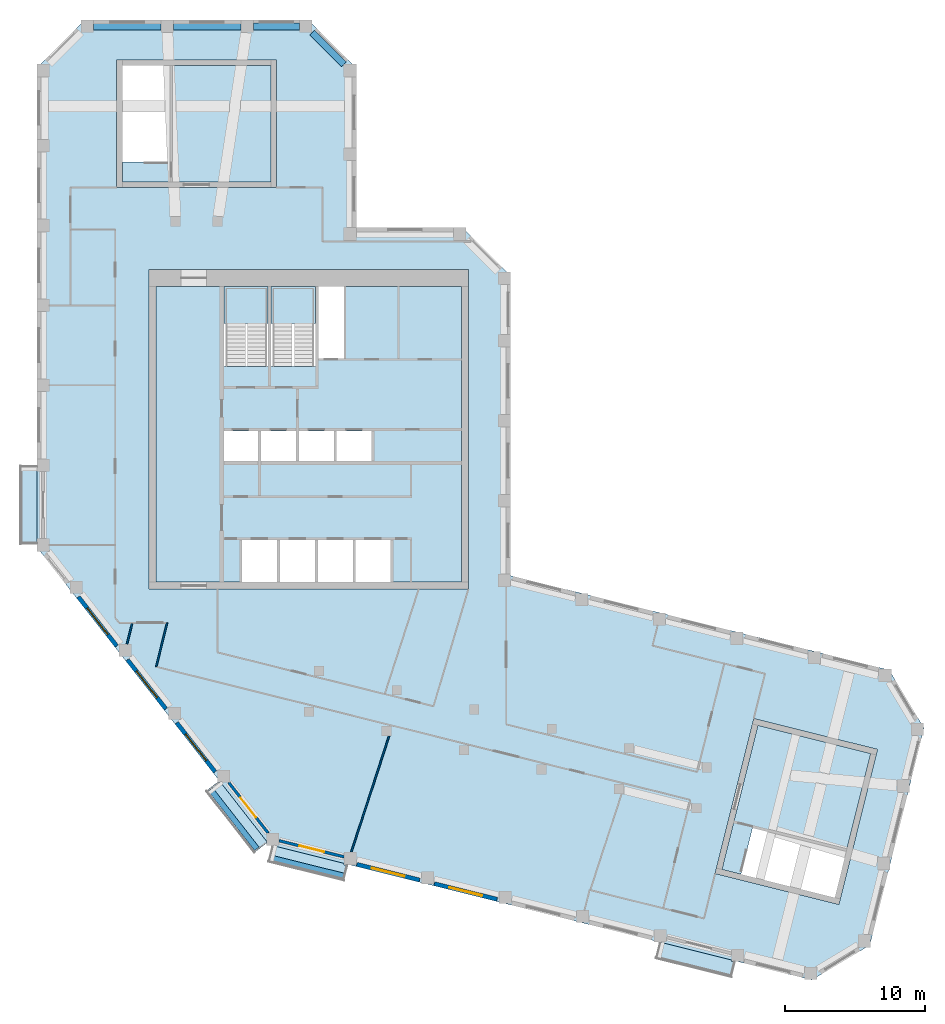
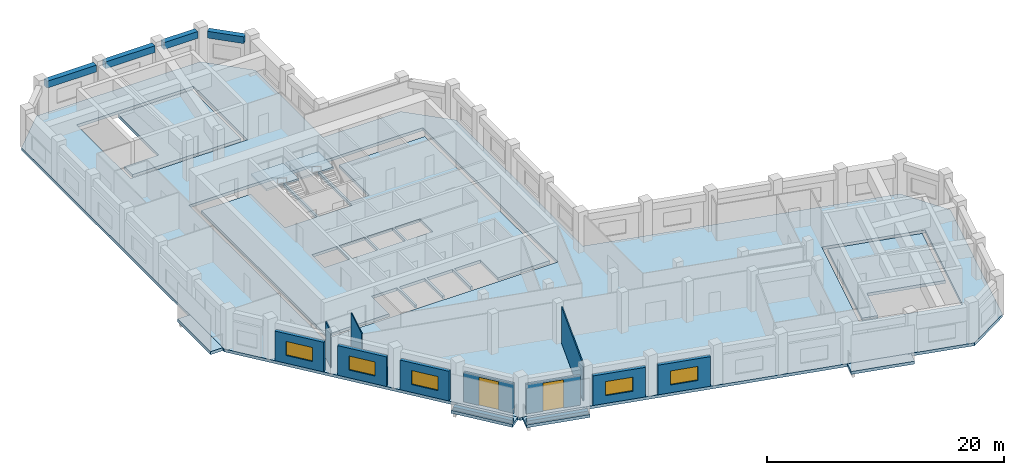
# One storey, part 2 of 8: 12 walls, 10 slabs, 5 windows, 4 beams, 2 doors, 7 openings, 2 elements without a shape of their own.
"""IFC4 building model written with IfcOpenShell, lengths in metres."""

from ifc_helpers import new_model, si_unit, direction, frame, frame_2d, origin, origin_2d, place, context, subcontext, project, spatial, polyline, rectangle, outline, extrude, material, layer, layer_set, material_profile, profile_set, type_object, element, fill, aggregate, save


model = new_model("IFC4")

# Units and contexts
model_context = context("Model", 3, precision=1e-05, world=origin(), true_north=direction((0.0, 1.0)))
body_context = subcontext(model_context, "Body", "Model", "MODEL_VIEW")
ifc_project = project(units=[si_unit("LENGTHUNIT", "METRE"), si_unit("AREAUNIT", "SQUARE_METRE"), si_unit("VOLUMEUNIT", "CUBIC_METRE"), si_unit("PLANEANGLEUNIT", "RADIAN"), si_unit("MASSUNIT", "GRAM", prefix="KILO")], contexts=[model_context])

# Site, building, storey
site_placement = place(None, origin())
site = spatial("IfcSite", under=ifc_project, at=site_placement, CompositionType="ELEMENT")
building_placement = place(site_placement, origin())
building = spatial("IfcBuilding", under=site, at=building_placement, Name="Meshkara Civic Tower", CompositionType="ELEMENT")
storey_placement = place(building_placement, frame((0.0, 0.0, 396.0)))
storey = spatial("IfcBuildingStorey", under=building, at=storey_placement, Name="L91", CompositionType="ELEMENT", Elevation=396.0)

# Beams
ifc_material_1 = material(Name="Concrete C50", Category="concrete")
ifc_material_profile = material_profile(ifc_material_1, rectangle(XDim=0.5, YDim=0.699951171875, at=origin_2d()))
ifc_profile_set = profile_set([ifc_material_profile], Name="Concrete C50")
beam_type = type_object("IfcBeamType", Name="Spandrel beam RC 500x700 C50", PredefinedType="BEAM", material=ifc_profile_set)
beam_1_placement = place(storey_placement, frame((21.903564453125, 51.560546875, 3.39990234375), z_axis=(-0.707144921739, 0.707068638576, 0.0), x_axis=(-0.707068638576, -0.707144921739, 0.0)))
element("IfcBeam", 1, at=beam_1_placement, inside=storey, type_object=beam_type, Name="Spandrel beam AEEP5-ATiEP5", PredefinedType="BEAM", context=body_context, shape_type="SweptSolid", body=[
    extrude(rectangle(XDim=0.5, YDim=0.699951171875, at=origin_2d()), origin(), (0.0, 0.0, 1.0), 3.200439453125),
])
beam_2_placement = place(storey_placement, frame((18.7490234375, 54.27001953125, 3.39990234375), z_axis=(-1.0, 0.0, 0.0), x_axis=(0.0, -1.0, 0.0)))
element("IfcBeam", 2, at=beam_2_placement, inside=storey, type_object=beam_type, Name="Spandrel beam AT02-P5-ATiEP5", PredefinedType="BEAM", context=body_context, shape_type="SweptSolid", body=[
    extrude(rectangle(XDim=0.5, YDim=0.699951171875, at=origin_2d()), origin(), (0.0, 0.0, 1.0), 3.298095703125),
])
for number, where, z_axis, x_axis, name in (
    (3, (14.56103515625, 54.27001953125, 3.39990234375), (-1.0, 0.0, 0.0), (0.0, -1.0, 0.0), "Spandrel beam AT01-P5-AT02-P5"),
    (4, (8.861083984375, 54.27001953125, 3.39990234375), (-1.0, 0.0, 0.0), (0.0, -1.0, 0.0), "Spandrel beam AT00-P5-AT01-P5"),
):
    element("IfcBeam", number, at=place(storey_placement, frame(where, z_axis=z_axis, x_axis=x_axis)), inside=storey, type_object=beam_type, Name=name, PredefinedType="BEAM", context=body_context, shape_type="SweptSolid", body=[
        extrude(rectangle(XDim=0.5, YDim=0.699951171875, at=origin_2d()), origin(), (0.0, 0.0, 1.0), 4.81005859375),
    ])

# Slabs
ifc_material_2 = material(Name="Concrete C40", Category="concrete")
ifc_layer_1 = layer(ifc_material_2, 0.300048828125)
ifc_layer_set_1 = layer_set([ifc_layer_1], Name="BALCONY SLAB")
slab_type_1 = type_object("IfcSlabType", Name="BALCONY SLAB", PredefinedType="FLOOR", material=ifc_layer_set_1)
slab_1_placement = place(storey_placement, frame((0.0, 0.0, -0.300048828125)))
element("IfcSlab", 5, at=slab_1_placement, inside=storey, type_object=slab_type_1, Name="Balcony slab", PredefinedType="FLOOR", context=body_context, shape_type="SweptSolid", body=[
    extrude(outline(polyline([(0.0, 17.705078125), (0.0, 17.31494140625), (-1.199951171875, 17.31494140625), (-1.199951171875, 22.89501953125), (0.0, 22.89501953125), (0.0, 22.5048828125), (0.0, 17.705078125)])), origin(), (0.0, 0.0, 1.0), 0.300048828125),
])
slab_2_placement = place(storey_placement, frame((0.0, 0.0, -0.300048828125)))
element("IfcSlab", 6, at=slab_2_placement, inside=storey, type_object=slab_type_1, Name="Balcony slab", PredefinedType="FLOOR", context=body_context, shape_type="SweptSolid", body=[
    extrude(outline(polyline([(15.513916015625, -4.7060546875), (12.0791015625, -0.30908203125), (12.89208984375, 0.325927734375), (12.89208984375, 0.303955078125), (13.1220703125, 0.303955078125), (16.40087890625, -3.89306640625), (16.40087890625, -4.012939453125), (15.513916015625, -4.7060546875)])), origin(), (0.0, 0.0, 1.0), 0.300048828125),
])
slab_3_placement = place(storey_placement, frame((0.0, 0.0, -0.300048828125)))
element("IfcSlab", 7, at=slab_3_placement, inside=storey, type_object=slab_type_1, Name="Balcony slab", PredefinedType="FLOOR", context=body_context, shape_type="SweptSolid", body=[
    extrude(outline(polyline([(21.925048828125, -6.702880859375), (16.510009765625, -5.35302734375), (16.800048828125, -4.18896484375), (21.931884765625, -5.468017578125), (21.931884765625, -5.56689453125), (22.2080078125, -5.56689453125), (21.925048828125, -6.702880859375)])), origin(), (0.0, 0.0, 1.0), 0.300048828125),
])
slab_4_placement = place(storey_placement, frame((0.0, 0.0, -0.300048828125)))
element("IfcSlab", 8, at=slab_4_placement, inside=storey, type_object=slab_type_1, Name="Balcony slab", PredefinedType="FLOOR", context=body_context, shape_type="SweptSolid", body=[
    extrude(outline(polyline([(49.577880859375, -13.597900390625), (44.1630859375, -12.248046875), (44.452880859375, -11.083984375), (49.5849609375, -12.363037109375), (49.5849609375, -12.4619140625), (49.861083984375, -12.4619140625), (49.577880859375, -13.597900390625)])), origin(), (0.0, 0.0, 1.0), 0.300048828125),
])
ifc_material_3 = material(Name="Concrete C40/50", Category="concrete")
ifc_layer_2 = layer(ifc_material_3, 0.300048828125)
ifc_layer_set_2 = layer_set([ifc_layer_2], Name="Core floor slab 300 C40/50")
slab_type_2 = type_object("IfcSlabType", Name="Core floor slab 300 C40/50", PredefinedType="FLOOR", material=ifc_layer_set_2)
slab_5_placement = place(storey_placement, frame((0.0, 0.0, -0.300048828125)))
element("IfcSlab", 9, at=slab_5_placement, inside=storey, type_object=slab_type_2, Name="Core floor K", PredefinedType="FLOOR", context=body_context, shape_type="SweptSolid", body=[
    extrude(outline(polyline([(8.5, 35.699951171875), (13.35009765625, 35.699951171875), (13.35009765625, 30.00146484375), (16.5, 30.00146484375), (16.5, 35.699951171875), (16.699951171875, 35.699951171875), (16.699951171875, 30.00146484375), (19.89990234375, 30.00146484375), (19.89990234375, 35.699951171875), (20.10009765625, 35.699951171875), (20.10009765625, 30.574951171875), (21.925048828125, 30.574951171875), (21.925048828125, 35.699951171875), (30.300048828125, 35.699951171875), (30.300048828125, 14.60009765625), (25.25, 14.60009765625), (25.25, 17.60009765625), (22.75, 17.60009765625), (22.75, 14.60009765625), (22.550048828125, 14.60009765625), (22.550048828125, 17.60009765625), (20.050048828125, 17.60009765625), (20.050048828125, 14.60009765625), (19.85009765625, 14.60009765625), (19.85009765625, 17.60009765625), (17.35009765625, 17.60009765625), (17.35009765625, 14.60009765625), (17.14990234375, 14.60009765625), (17.14990234375, 17.60009765625), (14.64990234375, 17.60009765625), (14.64990234375, 14.60009765625), (8.5, 14.60009765625), (8.5, 35.699951171875)]), holes=[polyline([(13.35009765625, 23.25), (15.800048828125, 23.25), (15.800048828125, 25.39990234375), (13.35009765625, 25.39990234375), (13.35009765625, 23.25)]), polyline([(18.5, 23.25), (18.5, 25.39990234375), (16.0, 25.39990234375), (16.0, 23.25), (18.5, 23.25)]), polyline([(18.699951171875, 23.25), (21.199951171875, 23.25), (21.199951171875, 25.39990234375), (18.699951171875, 25.39990234375), (18.699951171875, 23.25)]), polyline([(23.89990234375, 23.25), (23.89990234375, 25.39990234375), (21.39990234375, 25.39990234375), (21.39990234375, 23.25), (23.89990234375, 23.25)])]), origin(), (0.0, 0.0, 1.0), 0.300048828125),
])
slab_6_placement = place(storey_placement, frame((0.0, 0.0, -0.300048828125)))
element("IfcSlab", 10, at=slab_6_placement, inside=storey, type_object=slab_type_2, Name="Core floor EA", PredefinedType="FLOOR", context=body_context, shape_type="SweptSolid", body=[
    extrude(outline(polyline([(16.699951171875, 43.169921875), (16.699951171875, 51.469970703125), (9.5, 51.469970703125), (9.5, 44.571533203125), (6.10009765625, 44.571533203125), (6.10009765625, 43.169921875), (16.699951171875, 43.169921875)])), origin(), (0.0, 0.0, 1.0), 0.300048828125),
])
slab_7_placement = place(storey_placement, frame((0.0, 0.0, -0.300048828125)))
element("IfcSlab", 11, at=slab_7_placement, inside=storey, type_object=slab_type_2, Name="Core floor EB", PredefinedType="FLOOR", context=body_context, shape_type="SweptSolid", body=[
    extrude(outline(polyline([(51.45849609375, 4.381103515625), (59.511962890625, 2.373291015625), (57.77001953125, -4.61279296875), (51.076416015625, -2.944091796875), (50.25390625, -6.242919921875), (48.89404296875, -5.90380859375), (51.45849609375, 4.381103515625)])), origin(), (0.0, 0.0, 1.0), 0.300048828125),
])

# Stair, slab
ifc_material_4 = material(Name="Precast concrete C40/50", Category="concrete")
stair_type = type_object("IfcStairType", Name="Exit stair half-turn 24 risers precast", PredefinedType="HALF_TURN_STAIR", material=ifc_material_4)
stair_1_placement = place(storey_placement, origin())
stair_1 = element("IfcStair", 12, at=stair_1_placement, inside=storey, type_object=stair_type, Name="L91 exit stair 1", PredefinedType="HALF_TURN_STAIR")
ifc_material_5 = material(Name="Precast concrete C40/50", Category="concrete")
ifc_layer_3 = layer(ifc_material_5, 0.199951171875)
ifc_layer_set_3 = layer_set([ifc_layer_3], Name="Exit stair landing 200")
slab_type_3 = type_object("IfcSlabType", Name="Exit stair landing 200", PredefinedType="LANDING", material=ifc_layer_set_3)
slab_8_placement = place(storey_placement, frame((0.0, 0.0, 1.89990234375)))
slab_8 = element("IfcSlab", 13, at=slab_8_placement, type_object=slab_type_3, Name="ST1 landing 1", PredefinedType="LANDING", context=body_context, shape_type="SweptSolid", body=[
    extrude(outline(polyline([(16.5, 33.07861328125), (16.5, 35.699951171875), (13.35009765625, 35.699951171875), (13.35009765625, 33.07861328125), (16.5, 33.07861328125)])), origin(), (0.0, 0.0, 1.0), 0.2001953125),
])
aggregate(stair_1, [slab_8])

stair_2_placement = place(storey_placement, origin())
stair_2 = element("IfcStair", 14, at=stair_2_placement, inside=storey, type_object=stair_type, Name="L91 exit stair 2", PredefinedType="HALF_TURN_STAIR")
slab_9_placement = place(storey_placement, frame((0.0, 0.0, 1.89990234375)))
slab_9 = element("IfcSlab", 15, at=slab_9_placement, type_object=slab_type_3, Name="ST2 landing 1", PredefinedType="LANDING", context=body_context, shape_type="SweptSolid", body=[
    extrude(outline(polyline([(19.89990234375, 33.07861328125), (19.89990234375, 35.699951171875), (16.699951171875, 35.699951171875), (16.699951171875, 33.07861328125), (19.89990234375, 33.07861328125)])), origin(), (0.0, 0.0, 1.0), 0.2001953125),
])
aggregate(stair_2, [slab_9])

# Slab
ifc_material_6 = material(Name="Concrete C50", Category="concrete")
ifc_layer_4 = layer(ifc_material_6, 0.300048828125)
ifc_layer_set_4 = layer_set([ifc_layer_4], Name="Post-tensioned flat slab 300 C50")
slab_type_4 = type_object("IfcSlabType", Name="Post-tensioned flat slab 300 C50", PredefinedType="FLOOR", material=ifc_layer_set_4)
slab_10_placement = place(storey_placement, frame((0.0, 0.0, -0.300048828125)))
element("IfcSlab", 16, at=slab_10_placement, inside=storey, type_object=slab_type_4, Name="Post-tensioned flat slab L91", PredefinedType="FLOOR", context=body_context, shape_type="SweptSolid", body=[
    extrude(outline(polyline([(59.452880859375, -11.299072265625), (55.306884765625, -13.7900390625), (16.592041015625, -4.136962890625), (0.0, 17.10009765625), (0.0, 51.300048828125), (3.419921875, 54.719970703125), (19.3798828125, 54.719970703125), (22.800048828125, 51.300048828125), (22.800048828125, 39.89990234375), (30.3798828125, 39.89990234375), (33.800048828125, 36.47998046875), (33.800048828125, 15.071044921875), (60.822998046875, 8.3330078125), (63.31396484375, 4.18701171875), (59.452880859375, -11.299072265625)]), holes=[polyline([(57.239013671875, -8.39697265625), (59.9970703125, 2.6650390625), (51.1669921875, 4.865966796875), (48.408935546875, -6.195068359375), (57.239013671875, -8.39697265625)]), polyline([(8.0, 14.10009765625), (30.800048828125, 14.10009765625), (30.800048828125, 36.89990234375), (8.0, 36.89990234375), (8.0, 14.10009765625)]), polyline([(5.699951171875, 51.8701171875), (5.699951171875, 42.77001953125), (17.10009765625, 42.77001953125), (17.10009765625, 51.8701171875), (5.699951171875, 51.8701171875)])]), origin(), (0.0, 0.0, 1.0), 0.300048828125),
])

# Wall
ifc_material_7 = material(Name="Corridor wall 100")
ifc_layer_5 = layer(ifc_material_7, 0.10009765625)
ifc_layer_set_5 = layer_set([ifc_layer_5], Name="Corridor wall 100")
wall_type_1 = type_object("IfcWallType", Name="Corridor wall 100", PredefinedType="PARTITIONING", material=ifc_layer_set_5)
wall_1_placement = place(storey_placement, frame((9.301025390625, 11.699951171875, 0.0), z_axis=(0.0, 0.0, 1.0), x_axis=(-0.241592536742, -0.970377785293, 0.0)))
element("IfcWall", 17, at=wall_1_placement, inside=storey, type_object=wall_type_1, Name="L91-W008", PredefinedType="PARTITIONING", context=body_context, shape_type="SweptSolid", body=[
    extrude(rectangle(XDim=3.228759765625, YDim=0.10009765625, at=frame_2d((1.6142578125, 0.0))), origin(), (0.0, 0.0, 1.0), 3.75),
])

# Wall, opening, window
ifc_material_8 = material(Name="Insulated infill panel with bronze anodised aluminium cladding", Category="aluminium")
ifc_layer_6 = layer(ifc_material_8, 0.300048828125)
ifc_layer_set_6 = layer_set([ifc_layer_6], Name="EXTERNAL INFILL WALL 300")
wall_type_2 = type_object("IfcWallType", Name="EXTERNAL INFILL WALL 300", PredefinedType="SOLIDWALL", material=ifc_layer_set_6)
wall_2_placement = place(storey_placement, frame((2.967041015625, 13.547119140625, 0.0), z_axis=(0.0, 0.0, 1.0), x_axis=(0.615486001463, -0.788147817356, 0.0)))
wall_2 = element("IfcWall", 18, at=wall_2_placement, inside=storey, type_object=wall_type_2, Name="External wall", PredefinedType="SOLIDWALL", context=body_context, shape_type="SweptSolid", body=[
    extrude(rectangle(XDim=4.43701171875, YDim=0.300048828125, at=frame_2d((2.218505859375, 0.0))), origin(), (0.0, 0.0, 1.0), 3.050048828125),
])
opening_1_placement = place(wall_2_placement, frame((1.01806640625, 0.0, 0.800048828125)))
opening_1 = element("IfcOpeningElement", 19, at=opening_1_placement, cuts=wall_2, Name="Opening W8", PredefinedType="OPENING", context=body_context, shape_type="SweptSolid", body=[
    extrude(rectangle(XDim=2.39990234375, YDim=1.449951171875, at=frame_2d((1.199951171875, 0.72509765625))), frame((0.0, 0.159912109375, 0.0), z_axis=(0.0, -1.0, 0.0), x_axis=(1.0, 0.0, 0.0)), (0.0, 0.0, 1.0), 0.320068359375),
])
ifc_material_9 = material(Name="Tinted double glazing", Category="glass")
window_type = type_object("IfcWindowType", Name="WINDOW 2400x1450", PartitioningType="DOUBLE_PANEL_VERTICAL", PredefinedType="WINDOW", material=ifc_material_9)
window_1_placement = place(opening_1_placement, origin())
window_1 = element("IfcWindow", 20, at=window_1_placement, inside=storey, type_object=window_type, Name="Window", OverallHeight=1.449951171875, OverallWidth=2.39990234375, PartitioningType="DOUBLE_PANEL_VERTICAL", PredefinedType="WINDOW", context=body_context, shape_type="SweptSolid", body=[
    extrude(rectangle(XDim=2.39990234375, YDim=1.449951171875, at=frame_2d((1.199951171875, 0.72509765625))), frame((0.0, 0.030029296875, 0.0), z_axis=(0.0, -1.0, 0.0), x_axis=(1.0, 0.0, 0.0)), (0.0, 0.0, 1.0), 0.06005859375),
])
fill(opening_1, window_1)

wall_3_placement = place(storey_placement, frame((6.47607421875, 9.054931640625, 0.0), z_axis=(0.0, 0.0, 1.0), x_axis=(0.615649380255, -0.788020203162, 0.0)))
wall_3 = element("IfcWall", 21, at=wall_3_placement, inside=storey, type_object=wall_type_2, Name="External wall", PredefinedType="SOLIDWALL", context=body_context, shape_type="SweptSolid", body=[
    extrude(rectangle(XDim=4.4375, YDim=0.300048828125, at=frame_2d((2.21875, 0.0))), origin(), (0.0, 0.0, 1.0), 3.050048828125),
])
opening_2_placement = place(wall_3_placement, frame((1.01904296875, 0.0, 0.800048828125)))
opening_2 = element("IfcOpeningElement", 22, at=opening_2_placement, cuts=wall_3, Name="Opening W8", PredefinedType="OPENING", context=body_context, shape_type="SweptSolid", body=[
    extrude(rectangle(XDim=2.39990234375, YDim=1.449951171875, at=frame_2d((1.199951171875, 0.72509765625))), frame((0.0, 0.159912109375, 0.0), z_axis=(0.0, -1.0, 0.0), x_axis=(1.0, 0.0, 0.0)), (0.0, 0.0, 1.0), 0.320068359375),
])
window_2_placement = place(opening_2_placement, origin())
window_2 = element("IfcWindow", 23, at=window_2_placement, inside=storey, type_object=window_type, Name="Window", OverallHeight=1.449951171875, OverallWidth=2.39990234375, PartitioningType="DOUBLE_PANEL_VERTICAL", PredefinedType="WINDOW", context=body_context, shape_type="SweptSolid", body=[
    extrude(rectangle(XDim=2.39990234375, YDim=1.449951171875, at=frame_2d((1.199951171875, 0.72509765625))), frame((0.0, 0.030029296875, 0.0), z_axis=(0.0, -1.0, 0.0), x_axis=(1.0, 0.0, 0.0)), (0.0, 0.0, 1.0), 0.06005859375),
])
fill(opening_2, window_2)

wall_4_placement = place(storey_placement, frame((9.986083984375, 4.56298828125, 0.0), z_axis=(0.0, 0.0, 1.0), x_axis=(0.615592779411, -0.788064419915, 0.0)))
wall_4 = element("IfcWall", 24, at=wall_4_placement, inside=storey, type_object=wall_type_2, Name="External wall", PredefinedType="SOLIDWALL", context=body_context, shape_type="SweptSolid", body=[
    extrude(rectangle(XDim=4.436279296875, YDim=0.300048828125, at=frame_2d((2.21826171875, 0.0))), origin(), (0.0, 0.0, 1.0), 3.050048828125),
])
opening_3_placement = place(wall_4_placement, frame((1.01806640625, 0.0, 0.800048828125)))
opening_3 = element("IfcOpeningElement", 25, at=opening_3_placement, cuts=wall_4, Name="Opening W8", PredefinedType="OPENING", context=body_context, shape_type="SweptSolid", body=[
    extrude(rectangle(XDim=2.39990234375, YDim=1.449951171875, at=frame_2d((1.199951171875, 0.72509765625))), frame((0.0, 0.159912109375, 0.0), z_axis=(0.0, -1.0, 0.0), x_axis=(1.0, 0.0, 0.0)), (0.0, 0.0, 1.0), 0.320068359375),
])
window_3_placement = place(opening_3_placement, origin())
window_3 = element("IfcWindow", 26, at=window_3_placement, inside=storey, type_object=window_type, Name="Window", OverallHeight=1.449951171875, OverallWidth=2.39990234375, PartitioningType="DOUBLE_PANEL_VERTICAL", PredefinedType="WINDOW", context=body_context, shape_type="SweptSolid", body=[
    extrude(rectangle(XDim=2.39990234375, YDim=1.449951171875, at=frame_2d((1.199951171875, 0.72509765625))), frame((0.0, 0.030029296875, 0.0), z_axis=(0.0, -1.0, 0.0), x_axis=(1.0, 0.0, 0.0)), (0.0, 0.0, 1.0), 0.06005859375),
])
fill(opening_3, window_3)

wall_5_placement = place(storey_placement, frame((22.839111328125, -5.5400390625, 0.0), z_axis=(0.0, 0.0, 1.0), x_axis=(0.970282587769, -0.241974585177, 0.0)))
wall_5 = element("IfcWall", 27, at=wall_5_placement, inside=storey, type_object=wall_type_2, Name="External wall", PredefinedType="SOLIDWALL", context=body_context, shape_type="SweptSolid", body=[
    extrude(rectangle(XDim=4.60791015625, YDim=0.300048828125, at=frame_2d((2.303955078125, 0.0))), origin(), (0.0, 0.0, 1.0), 3.050048828125),
])
opening_4_placement = place(wall_5_placement, frame((1.10400390625, 0.0, 0.800048828125)))
opening_4 = element("IfcOpeningElement", 28, at=opening_4_placement, cuts=wall_5, Name="Opening W8", PredefinedType="OPENING", context=body_context, shape_type="SweptSolid", body=[
    extrude(rectangle(XDim=2.39990234375, YDim=1.449951171875, at=frame_2d((1.199951171875, 0.72509765625))), frame((0.0, 0.159912109375, 0.0), z_axis=(0.0, -1.0, 0.0), x_axis=(1.0, 0.0, 0.0)), (0.0, 0.0, 1.0), 0.320068359375),
])
window_4_placement = place(opening_4_placement, origin())
window_4 = element("IfcWindow", 29, at=window_4_placement, inside=storey, type_object=window_type, Name="Window", OverallHeight=1.449951171875, OverallWidth=2.39990234375, PartitioningType="DOUBLE_PANEL_VERTICAL", PredefinedType="WINDOW", context=body_context, shape_type="SweptSolid", body=[
    extrude(rectangle(XDim=2.39990234375, YDim=1.449951171875, at=frame_2d((1.199951171875, 0.72509765625))), frame((0.0, 0.030029296875, 0.0), z_axis=(0.0, -1.0, 0.0), x_axis=(1.0, 0.0, 0.0)), (0.0, 0.0, 1.0), 0.06005859375),
])
fill(opening_4, window_4)

wall_6_placement = place(storey_placement, frame((28.368896484375, -6.9189453125, 0.0), z_axis=(0.0, 0.0, 1.0), x_axis=(0.970298093093, -0.241912402618, 0.0)))
wall_6 = element("IfcWall", 30, at=wall_6_placement, inside=storey, type_object=wall_type_2, Name="External wall", PredefinedType="SOLIDWALL", context=body_context, shape_type="SweptSolid", body=[
    extrude(rectangle(XDim=4.609130859375, YDim=0.300048828125, at=frame_2d((2.3046875, 0.0))), origin(), (0.0, 0.0, 1.0), 3.050048828125),
])
opening_5_placement = place(wall_6_placement, frame((1.10498046875, 0.0, 0.800048828125)))
opening_5 = element("IfcOpeningElement", 31, at=opening_5_placement, cuts=wall_6, Name="Opening W8", PredefinedType="OPENING", context=body_context, shape_type="SweptSolid", body=[
    extrude(rectangle(XDim=2.39990234375, YDim=1.449951171875, at=frame_2d((1.199951171875, 0.72509765625))), frame((0.0, 0.159912109375, 0.0), z_axis=(0.0, -1.0, 0.0), x_axis=(1.0, 0.0, 0.0)), (0.0, 0.0, 1.0), 0.320068359375),
])
window_5_placement = place(opening_5_placement, origin())
window_5 = element("IfcWindow", 32, at=window_5_placement, inside=storey, type_object=window_type, Name="Window", OverallHeight=1.449951171875, OverallWidth=2.39990234375, PartitioningType="DOUBLE_PANEL_VERTICAL", PredefinedType="WINDOW", context=body_context, shape_type="SweptSolid", body=[
    extrude(rectangle(XDim=2.39990234375, YDim=1.449951171875, at=frame_2d((1.199951171875, 0.72509765625))), frame((0.0, 0.030029296875, 0.0), z_axis=(0.0, -1.0, 0.0), x_axis=(1.0, 0.0, 0.0)), (0.0, 0.0, 1.0), 0.06005859375),
])
fill(opening_5, window_5)

# Wall, opening, door
ifc_material_10 = material(Name="Insulated infill panel with bronze anodised aluminium cladding", Category="aluminium")
ifc_layer_7 = layer(ifc_material_10, 0.199951171875)
ifc_layer_set_7 = layer_set([ifc_layer_7], Name="LOGGIA BACK WALL 200")
wall_type_3 = type_object("IfcWallType", Name="LOGGIA BACK WALL 200", PredefinedType="SOLIDWALL", material=ifc_layer_set_7)
wall_7_placement = place(storey_placement, frame((13.694091796875, 0.303955078125, 0.0), z_axis=(0.0, 0.0, 1.0), x_axis=(0.615460024179, -0.788168103033, 0.0)))
wall_7 = element("IfcWall", 33, at=wall_7_placement, inside=storey, type_object=wall_type_3, Name="Loggia wall", PredefinedType="SOLIDWALL", context=body_context, shape_type="SweptSolid", body=[
    extrude(rectangle(XDim=4.557373046875, YDim=0.199951171875, at=frame_2d((2.27880859375, 0.0))), origin(), (0.0, 0.0, 1.0), 3.050048828125),
])
opening_6_placement = place(wall_7_placement, frame((1.37890625, 0.0, 0.0)))
opening_6 = element("IfcOpeningElement", 34, at=opening_6_placement, cuts=wall_7, Name="Opening L91-L002", PredefinedType="OPENING", context=body_context, shape_type="SweptSolid", body=[
    extrude(rectangle(XDim=1.800048828125, YDim=2.89990234375, at=frame_2d((0.89990234375, 1.449951171875))), frame((0.0, 0.10986328125, 0.0), z_axis=(0.0, -1.0, 0.0), x_axis=(1.0, 0.0, 0.0)), (0.0, 0.0, 1.0), 0.219970703125),
])
ifc_material_11 = material(Name="Tinted double glazing", Category="glass")
door_type = type_object("IfcDoorType", Name="LOGGIA DOOR 1800x2900", OperationType="DOUBLE_DOOR_SINGLE_SWING", PredefinedType="DOOR", material=ifc_material_11)
door_1_placement = place(opening_6_placement, origin())
door_1 = element("IfcDoor", 35, at=door_1_placement, inside=storey, type_object=door_type, Name="L91-L002", OperationType="DOUBLE_DOOR_SINGLE_SWING", OverallHeight=2.89990234375, OverallWidth=1.800048828125, PredefinedType="DOOR", context=body_context, shape_type="SweptSolid", body=[
    extrude(rectangle(XDim=1.800048828125, YDim=2.89990234375, at=frame_2d((0.89990234375, 1.449951171875))), frame((0.0, 0.02490234375, 0.0), z_axis=(0.0, -1.0, 0.0), x_axis=(1.0, 0.0, 0.0)), (0.0, 0.0, 1.0), 0.050048828125),
])
fill(opening_6, door_1)

wall_8_placement = place(storey_placement, frame((17.301025390625, -3.85009765625, 0.0), z_axis=(0.0, 0.0, 1.0), x_axis=(0.970286762598, -0.241957844111, 0.0)))
wall_8 = element("IfcWall", 36, at=wall_8_placement, inside=storey, type_object=wall_type_3, Name="Loggia wall", PredefinedType="SOLIDWALL", context=body_context, shape_type="SweptSolid", body=[
    extrude(rectangle(XDim=4.772705078125, YDim=0.199951171875, at=frame_2d((2.38623046875, 0.0))), origin(), (0.0, 0.0, 1.0), 3.050048828125),
])
opening_7_placement = place(wall_8_placement, frame((1.486083984375, 0.0, 0.0)))
opening_7 = element("IfcOpeningElement", 37, at=opening_7_placement, cuts=wall_8, Name="Opening L91-L003", PredefinedType="OPENING", context=body_context, shape_type="SweptSolid", body=[
    extrude(rectangle(XDim=1.800048828125, YDim=2.89990234375, at=frame_2d((0.89990234375, 1.449951171875))), frame((0.0, 0.10986328125, 0.0), z_axis=(0.0, -1.0, 0.0), x_axis=(1.0, 0.0, 0.0)), (0.0, 0.0, 1.0), 0.219970703125),
])
door_2_placement = place(opening_7_placement, origin())
door_2 = element("IfcDoor", 38, at=door_2_placement, inside=storey, type_object=door_type, Name="L91-L003", OperationType="DOUBLE_DOOR_SINGLE_SWING", OverallHeight=2.89990234375, OverallWidth=1.800048828125, PredefinedType="DOOR", context=body_context, shape_type="SweptSolid", body=[
    extrude(rectangle(XDim=1.800048828125, YDim=2.89990234375, at=frame_2d((0.89990234375, 1.449951171875))), frame((0.0, 0.02490234375, 0.0), z_axis=(0.0, -1.0, 0.0), x_axis=(1.0, 0.0, 0.0)), (0.0, 0.0, 1.0), 0.050048828125),
])
fill(opening_7, door_2)

# Walls
ifc_material_12 = material(Name="Concrete C40", Category="concrete")
ifc_layer_8 = layer(ifc_material_12, 0.39990234375)
ifc_layer_set_8 = layer_set([ifc_layer_8], Name="PLANTER TRAY")
wall_type_4 = type_object("IfcWallType", Name="PLANTER TRAY", PredefinedType="SOLIDWALL", material=ifc_layer_set_8)
wall_9_placement = place(storey_placement, frame((12.39794921875, -0.198974609375, 0.0), z_axis=(0.0, 0.0, 1.0), x_axis=(0.615638738903, -0.788028516719, 0.0)))
element("IfcWall", 39, at=wall_9_placement, inside=storey, type_object=wall_type_4, Name="Planter", PredefinedType="SOLIDWALL", context=body_context, shape_type="SweptSolid", body=[
    extrude(rectangle(XDim=5.3603515625, YDim=0.39990234375, at=frame_2d((2.68017578125, 0.0))), origin(), (0.0, 0.0, 1.0), 0.300048828125),
])
wall_10_placement = place(storey_placement, frame((16.694091796875, -5.069091796875, 0.0), z_axis=(0.0, 0.0, 1.0), x_axis=(0.970289679319, -0.241946147329, 0.0)))
element("IfcWall", 40, at=wall_10_placement, inside=storey, type_object=wall_type_4, Name="Planter", PredefinedType="SOLIDWALL", context=body_context, shape_type="SweptSolid", body=[
    extrude(rectangle(XDim=5.360107421875, YDim=0.39990234375, at=frame_2d((2.68017578125, 0.0))), origin(), (0.0, 0.0, 1.0), 0.300048828125),
])
ifc_material_13 = material(Name="Partition 100")
ifc_layer_9 = layer(ifc_material_13, 0.10009765625)
ifc_layer_set_9 = layer_set([ifc_layer_9], Name="Partition 100")
wall_type_5 = type_object("IfcWallType", Name="Partition 100", PredefinedType="PARTITIONING", material=ifc_layer_set_9)
wall_11_placement = place(storey_placement, frame((6.797119140625, 11.637939453125, 0.0), z_axis=(0.0, 0.0, 1.0), x_axis=(-0.242113049408, -0.970248046278, 0.0)))
element("IfcWall", 41, at=wall_11_placement, inside=storey, type_object=wall_type_5, Name="L91-W027", PredefinedType="PARTITIONING", context=body_context, shape_type="SweptSolid", body=[
    extrude(rectangle(XDim=1.495361328125, YDim=0.10009765625, at=frame_2d((0.74755859375, 0.0))), origin(), (0.0, 0.0, 1.0), 3.75),
])
wall_12_placement = place(storey_placement, frame((22.444091796875, -4.6669921875, 0.0), z_axis=(0.0, 0.0, 1.0), x_axis=(0.308974080069, 0.951070458928, 0.0)))
element("IfcWall", 42, at=wall_12_placement, inside=storey, type_object=wall_type_5, Name="L91-W028", PredefinedType="PARTITIONING", context=body_context, shape_type="SweptSolid", body=[
    extrude(rectangle(XDim=8.72509765625, YDim=0.10009765625, at=frame_2d((4.362548828125, 0.0))), origin(), (0.0, 0.0, 1.0), 3.75),
])

save(model, "model.ifc")
